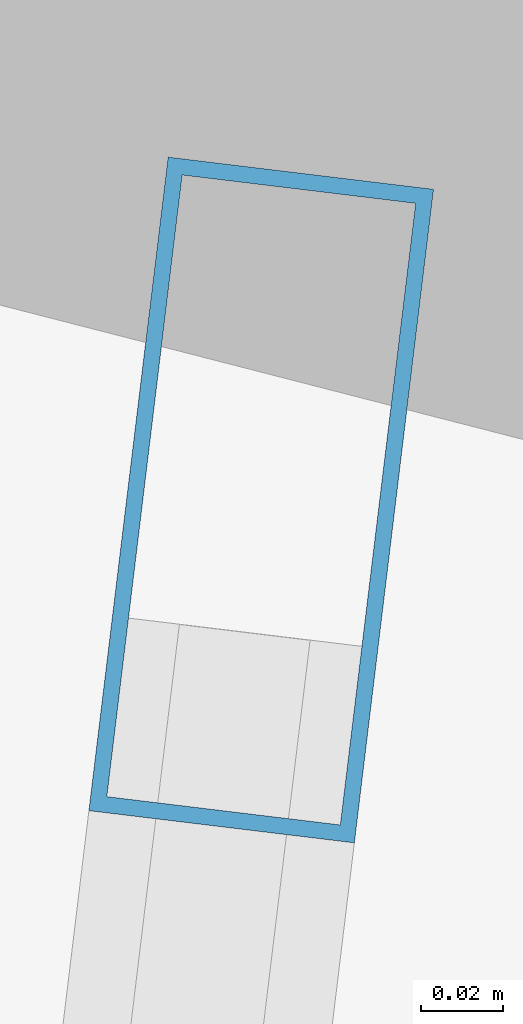
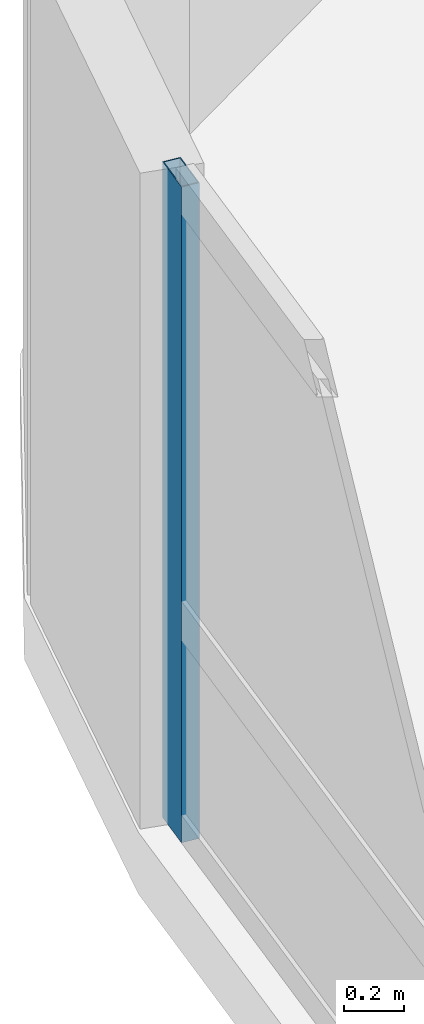
# One storey, part 12 of 26: 1 member, 1 element without a shape of its own.
"""IFC4 building model written with IfcOpenShell, lengths in metres."""

from ifc_helpers import new_model, si_unit, direction, frame, origin, origin_2d, place, context, subcontext, project, spatial, hollow_rectangle, extrude, material, layer, layer_set, material_profile, profile_set, type_object, element, aggregate, save


model = new_model("IFC4")

# Units and contexts
model_context = context("Model", 3, precision=1e-05, world=origin(), true_north=direction((0.0, 1.0)))
body_context = subcontext(model_context, "Body", "Model", "MODEL_VIEW")
ifc_project = project(units=[si_unit("LENGTHUNIT", "METRE"), si_unit("AREAUNIT", "SQUARE_METRE"), si_unit("VOLUMEUNIT", "CUBIC_METRE"), si_unit("PLANEANGLEUNIT", "RADIAN"), si_unit("MASSUNIT", "GRAM", prefix="KILO")], contexts=[model_context])

# Site, building, storey
site_placement = place(None, origin())
site = spatial("IfcSite", under=ifc_project, at=site_placement, CompositionType="ELEMENT")
building_placement = place(site_placement, origin())
building = spatial("IfcBuilding", under=site, at=building_placement, Name="Varnelok Gate Tower", CompositionType="ELEMENT")
storey_placement = place(building_placement, frame((0.0, 0.0, 158.699951171875)))
storey = spatial("IfcBuildingStorey", under=building, at=storey_placement, Name="L40", CompositionType="ELEMENT", Elevation=158.699951171875)

# Curtain wall, member
ifc_material = material(Name="Anodized Aluminum Alloy 6063-T6", Category="aluminium")
ifc_layer = layer(ifc_material, 0.179931640625)
ifc_layer_set = layer_set([ifc_layer], Name="Anodized Aluminum Alloy 6063-T6")
curtain_wall_type = type_object("IfcCurtainWallType", Name="CW3-HOTEL-VISION", PredefinedType="USERDEFINED", material=ifc_layer_set)
curtain_wall_placement = place(storey_placement, origin())
curtain_wall = element("IfcCurtainWall", 1, at=curtain_wall_placement, inside=storey, type_object=curtain_wall_type, Name="L40 West End Vision Curtain Wall", ObjectType="UNITISED CURTAIN WALL", PredefinedType="USERDEFINED")
ifc_material_profile = material_profile(ifc_material, hollow_rectangle(XDim=0.06494140625, YDim=0.159912109375, WallThickness=0.00390625, at=origin_2d()), Name="ALU160X65X4")
ifc_profile_set = profile_set([ifc_material_profile], Name="Anodized Aluminum Alloy 6063-T6")
member_type = type_object("IfcMemberType", Name="CW-MULL-160", PredefinedType="MULLION", material=ifc_profile_set)
member_placement = place(storey_placement, frame((4.57177734375, 47.596923828125, 0.0), z_axis=(0.0, 0.0, 1.0), x_axis=(-0.99273188146, 0.120347046212, 0.0)))
member = element("IfcMember", 2, at=member_placement, type_object=member_type, Name="CW3 mullion 6", PredefinedType="MULLION", context=body_context, shape_type="SweptSolid", body=[
    extrude(hollow_rectangle(XDim=0.06494140625, YDim=0.159912109375, WallThickness=0.00390625, at=origin_2d()), origin(), (0.0, 0.0, 1.0), 2.66015625),
])
aggregate(curtain_wall, [member])

save(model, "model.ifc")
